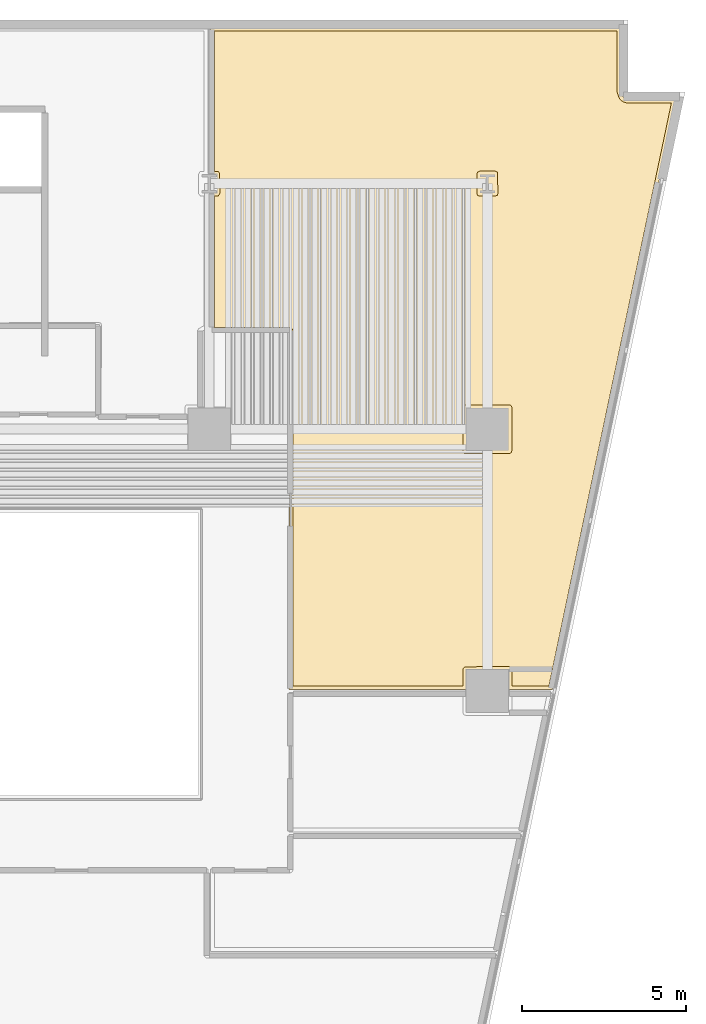
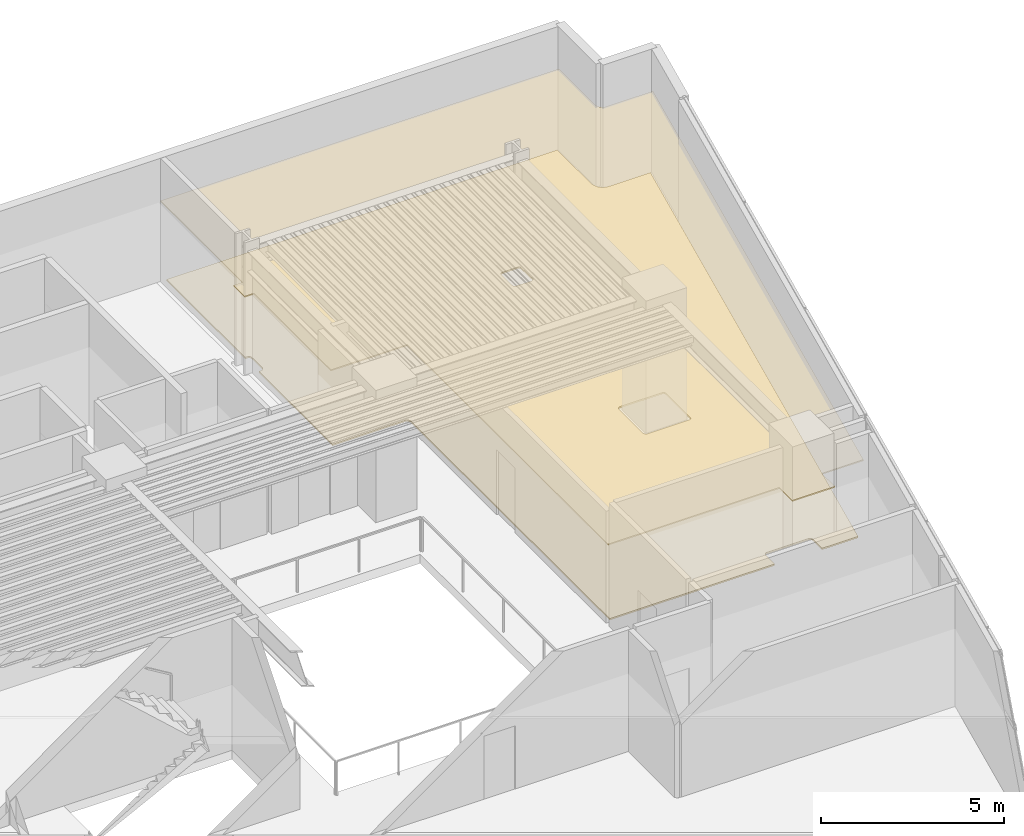
# One storey, part 12 of 12: 2 coverings.
"""IFC4 building model written with IfcOpenShell, lengths in metres."""

from ifc_helpers import new_model, si_unit, direction, frame, origin, place, context, subcontext, project, spatial, polyline, outline, extrude, material, layer, layer_set, type_object, element, save


model = new_model("IFC4")

# Units and contexts
model_context = context("Model", 3, precision=1e-05, world=origin(), true_north=direction((0.0, 1.0)))
body_context = subcontext(model_context, "Body", "Model", "MODEL_VIEW")
ifc_project = project(units=[si_unit("LENGTHUNIT", "METRE"), si_unit("AREAUNIT", "SQUARE_METRE"), si_unit("VOLUMEUNIT", "CUBIC_METRE"), si_unit("PLANEANGLEUNIT", "RADIAN"), si_unit("MASSUNIT", "GRAM", prefix="KILO")], contexts=[model_context])

# Site, building, storey
site_placement = place(None, origin())
site = spatial("IfcSite", under=ifc_project, at=site_placement, CompositionType="ELEMENT")
building_placement = place(site_placement, origin())
building = spatial("IfcBuilding", under=site, at=building_placement, Name="Caeloran Harvest Quay", CompositionType="ELEMENT")
storey_placement = place(building_placement, frame((0.0, 0.0, 35.800048828125)))
storey = spatial("IfcBuildingStorey", under=building, at=storey_placement, Name="L08", CompositionType="ELEMENT", Elevation=35.800048828125)

# Coverings
ifc_material_1 = material(Name="Perforated Mineral-Fibre Acoustic Ceiling Tile", Category="ceiling")
ifc_layer_1 = layer(ifc_material_1, 0.0400390625, Name="Perforated Mineral-Fibre Acoustic Ceiling Tile")
ifc_layer_set_1 = layer_set([ifc_layer_1], Name="Perforated Mineral-Fibre Acoustic Ceiling Tile")
covering_type_1 = type_object("IfcCoveringType", Name="COV-CEILING-ACOUSTIC", PredefinedType="CEILING", material=ifc_layer_set_1)
covering_1_placement = place(storey_placement, frame((0.0, 0.0, 2.599853515625)))
element("IfcCovering", 1, at=covering_1_placement, inside=storey, type_object=covering_type_1, Name="Aeroponic Root-Mist Growing Chamber 10 Acoustic Ceiling", PredefinedType="CEILING", context=body_context, shape_type="SweptSolid", body=[
    extrude(outline(polyline([(50.330078125, 23.0400390625), (44.93994140625, 23.0400390625), (44.93994140625, 33.989990234375), (42.5400390625, 33.989990234375), (42.5400390625, 38.195556640625), (42.2529296875, 38.195556640625), (42.2529296875, 38.804443359375), (42.5400390625, 38.804443359375), (42.5400390625, 43.280029296875), (55.080078125, 43.280029296875), (55.080078125, 41.301025390625), (55.089599609375, 41.236083984375), (55.1298828125, 41.160400390625), (55.1962890625, 41.10595703125), (55.2783203125, 41.0810546875), (56.766845703125, 41.080078125), (52.97705078125, 23.0400390625), (51.669921875, 23.0400390625), (51.669921875, 22.330078125), (50.330078125, 22.330078125), (50.330078125, 23.0400390625)])), origin(), (0.0, 0.0, 1.0), 0.0400390625),
])
ifc_material_2 = material(Name="Calcium-Sulphate Raised Access Floor and Terrazzo Finish", Category="flooring")
ifc_layer_2 = layer(ifc_material_2, 0.050048828125, Name="Calcium-Sulphate Raised Access Floor and Terrazzo Finish")
ifc_layer_set_2 = layer_set([ifc_layer_2], Name="Calcium-Sulphate Raised Access Floor and Terrazzo Finish")
covering_type_2 = type_object("IfcCoveringType", Name="COV-FLOOR-RAISED", PredefinedType="FLOORING", material=ifc_layer_set_2)
covering_2_placement = place(storey_placement, origin())
element("IfcCovering", 2, at=covering_2_placement, inside=storey, type_object=covering_type_2, Name="Aeroponic Root-Mist Growing Chamber 10 Raised Finish Flooring", PredefinedType="FLOORING", context=body_context, shape_type="SweptSolid", body=[
    extrude(outline(polyline([(45.056396484375, 34.028076171875), (45.0166015625, 34.08740234375), (44.953857421875, 34.10986328125), (42.659912109375, 34.110107421875), (42.659912109375, 38.12060546875), (42.77978515625, 38.1298828125), (42.822021484375, 38.200439453125), (42.820556640625, 38.815185546875), (42.772705078125, 38.873291015625), (42.659912109375, 38.87939453125), (42.659912109375, 43.159912109375), (54.9599609375, 43.159912109375), (54.960205078125, 41.296142578125), (55.034912109375, 41.08740234375), (55.143310546875, 40.998291015625), (55.2705078125, 40.961181640625), (56.618896484375, 40.9599609375), (52.879638671875, 23.159912109375), (51.7451171875, 23.159912109375), (51.74462890625, 23.6728515625), (51.7158203125, 23.726806640625), (51.6650390625, 23.7451171875), (50.304443359375, 23.739013671875), (50.25537109375, 23.6728515625), (50.2548828125, 23.159912109375), (45.06005859375, 23.159912109375), (45.056396484375, 34.028076171875)]), holes=[polyline([(51.7451171875, 31.6650390625), (51.7216796875, 31.7216796875), (51.6650390625, 31.7451171875), (50.3349609375, 31.7451171875), (50.2783203125, 31.7216796875), (50.2548828125, 31.6650390625), (50.2548828125, 30.3349609375), (50.2783203125, 30.2783203125), (50.3349609375, 30.2548828125), (51.6650390625, 30.2548828125), (51.7216796875, 30.2783203125), (51.7451171875, 30.3349609375), (51.7451171875, 31.6650390625)]), polyline([(51.322021484375, 38.200439453125), (51.3037109375, 38.850341796875), (51.249755859375, 38.879150390625), (50.758056640625, 38.87939453125), (50.701416015625, 38.856201171875), (50.677978515625, 38.799560546875), (50.677978515625, 38.200439453125), (50.701416015625, 38.143798828125), (50.758056640625, 38.12060546875), (51.241943359375, 38.12060546875), (51.298583984375, 38.143798828125), (51.322021484375, 38.200439453125)])]), origin(), (0.0, 0.0, 1.0), 0.050048828125),
])

save(model, "model.ifc")
